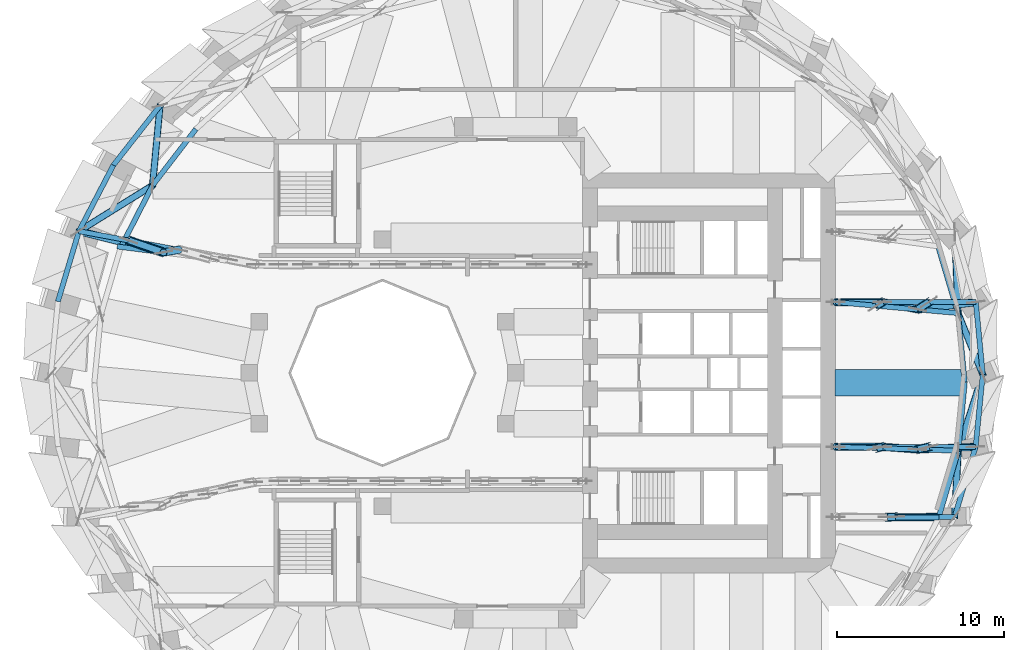
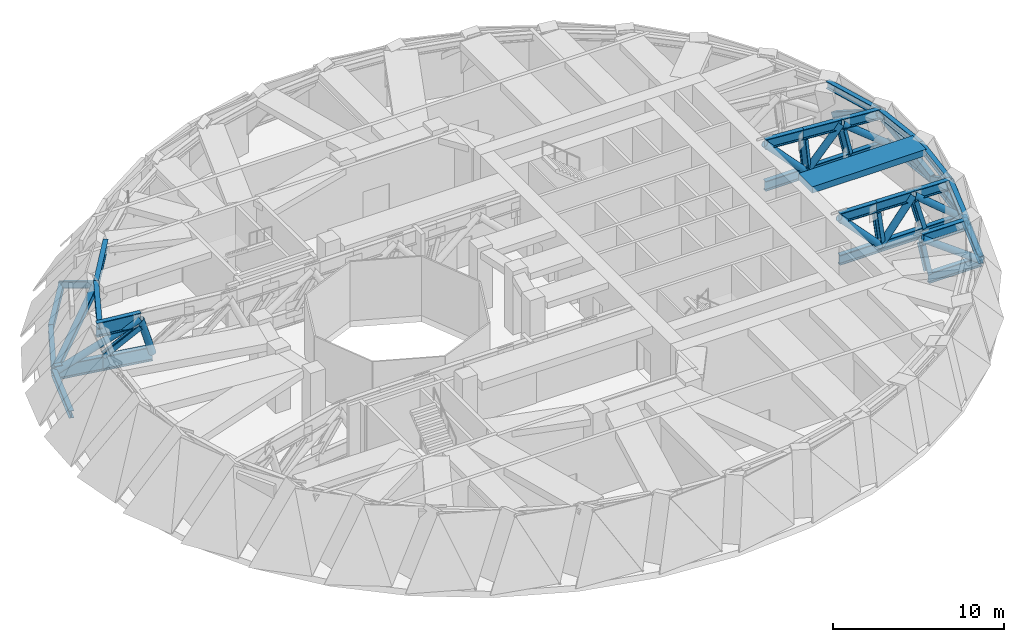
# One storey, part 4 of 15: 50 members, 1 beam.
"""IFC4 building model written with IfcOpenShell, lengths in metres."""

import ifcopenshell
import ifcopenshell.guid

model = None  # the IFC model being written
_history = None  # IfcOwnerHistory: only IFC2X3 demands one
_inside = {}  # id of a spatial element -> (the spatial element, [elements in it])
_under = {}  # id of a project, library or spatial element -> (it, [spatial elements below it])
_declared = {}  # id of a project -> (the project, [libraries it declares])
_typed = {}  # id of a type object -> (the type object, [elements of that type])
_made_of = {}  # id of a material, layer set ... -> (it, [elements and type objects made of it])


def new_model(schema):
    """Start an empty IFC model of exactly this schema.

    Asked for "IFC4X3", IfcOpenShell would pick the latest addendum, in which some entities
    have other attributes; the version numbers below select the first issue.
    IFC2X3 requires an IfcOwnerHistory on every rooted entity: one is made here for all.
    """
    global model, _history
    if schema == "IFC4X3":
        model = ifcopenshell.file(schema_version=(4, 3, 0, 0))
    else:
        model = ifcopenshell.file(schema=schema)
    _inside.clear()
    _under.clear()
    _declared.clear()
    _typed.clear()
    _made_of.clear()
    _history = None
    if model.schema == "IFC2X3":
        org = make("IfcOrganization", Name="unknown")
        user = make(
            "IfcPersonAndOrganization",
            ThePerson=make("IfcPerson", FamilyName="unknown"),
            TheOrganization=org,
        )
        app = make(
            "IfcApplication",
            ApplicationDeveloper=org,
            Version="unknown",
            ApplicationFullName="unknown",
            ApplicationIdentifier="unknown",
        )
        _history = make(
            "IfcOwnerHistory",
            OwningUser=user,
            OwningApplication=app,
            ChangeAction="ADDED",
            CreationDate=0,
        )
    return model


def make(cls, **values):
    """One entity of the class cls with the attributes given. An attribute that is None is left unset."""
    return model.create_entity(
        cls, **{name: value for name, value in values.items() if value is not None}
    )


def rooted(cls, **values):
    """An entity with a GlobalId (a new one), such as an element, a storey or a relation."""
    return make(cls, GlobalId=ifcopenshell.guid.new(), OwnerHistory=_history, **values)


def si_unit(unit_type, name, prefix=None):
    """IfcSIUnit, for example si_unit("LENGTHUNIT", "METRE", prefix="MILLI")."""
    return make("IfcSIUnit", UnitType=unit_type, Prefix=prefix, Name=name)


def assignment(units):
    """IfcUnitAssignment: the units of a project."""
    return None if units is None else make("IfcUnitAssignment", Units=units)


def point(xyz):
    """IfcCartesianPoint."""
    return None if xyz is None else make("IfcCartesianPoint", Coordinates=xyz)


def direction(xyz):
    """IfcDirection."""
    return None if xyz is None else make("IfcDirection", DirectionRatios=xyz)


def frame(location, z_axis=None, x_axis=None):
    """IfcAxis2Placement3D, a coordinate frame: its origin and axes. An axis left out is left unset."""
    return make(
        "IfcAxis2Placement3D",
        Location=point(location),
        Axis=direction(z_axis),
        RefDirection=direction(x_axis),
    )


def frame_2d(location, x_axis=None):
    """IfcAxis2Placement2D, a coordinate frame in the plane: its origin and x axis."""
    return make(
        "IfcAxis2Placement2D", Location=point(location), RefDirection=direction(x_axis)
    )


def origin():
    """The frame at (0, 0, 0) with its axes left unset."""
    return frame((0.0, 0.0, 0.0))


def origin_2d():
    """The frame at (0, 0) in the plane with its x axis left unset."""
    return frame_2d((0.0, 0.0))


def place(relative_to, where):
    """IfcLocalPlacement: puts the frame where relative to a parent placement (None: the world)."""
    return make(
        "IfcLocalPlacement", PlacementRelTo=relative_to, RelativePlacement=where
    )


def context(
    kind, dimensions, precision=None, world=None, true_north=None, identifier=None
):
    """IfcGeometricRepresentationContext, for example the 3D "Model" context."""
    return make(
        "IfcGeometricRepresentationContext",
        ContextIdentifier=identifier,
        ContextType=kind,
        CoordinateSpaceDimension=dimensions,
        Precision=precision,
        WorldCoordinateSystem=world,
        TrueNorth=true_north,
    )


def subcontext(parent, identifier, kind, view, scale=None):
    """IfcGeometricRepresentationSubContext, for example "Body" below "Model"."""
    return make(
        "IfcGeometricRepresentationSubContext",
        ContextIdentifier=identifier,
        ContextType=kind,
        ParentContext=parent,
        TargetScale=scale,
        TargetView=view,
    )


def project(units=None, contexts=None):
    """IfcProject with its units and contexts."""
    return rooted(
        "IfcProject",
        Name="project",
        RepresentationContexts=contexts,
        UnitsInContext=assignment(units),
    )


def spatial(cls, under=None, at=None, **own):
    """A site, building, storey or space (cls), placed at a placement, below another one or the project."""
    s = rooted(cls, ObjectPlacement=at, **own)
    if under is not None:
        _under.setdefault(under.id(), (under, []))[1].append(s)
    return s


def profile(cls, at=None, kind="AREA", **sizes):
    """A parametric profile (cls). Its sizes go by their IFC names, for example OverallWidth=200.0."""
    return make(cls, ProfileType=kind, Position=at, **sizes)


def rectangle(**sizes):
    """IfcRectangleProfileDef."""
    return profile("IfcRectangleProfileDef", **sizes)


def hollow_rectangle(**sizes):
    """IfcRectangleHollowProfileDef."""
    return profile("IfcRectangleHollowProfileDef", **sizes)


def hollow_circle(**sizes):
    """IfcCircleHollowProfileDef."""
    return profile("IfcCircleHollowProfileDef", **sizes)


def i_section(**sizes):
    """IfcIShapeProfileDef."""
    return profile("IfcIShapeProfileDef", **sizes)


def extrude(swept, where, along, depth):
    """IfcExtrudedAreaSolid: the profile swept, set in the frame where, extruded along a direction by depth."""
    return make(
        "IfcExtrudedAreaSolid",
        SweptArea=swept,
        Position=where,
        ExtrudedDirection=direction(along),
        Depth=depth,
    )


def shape(context_of_items, identifier, shape_type, items):
    """IfcShapeRepresentation: the items that make up one representation, for example the "Body"."""
    return make(
        "IfcShapeRepresentation",
        ContextOfItems=context_of_items,
        RepresentationIdentifier=identifier,
        RepresentationType=shape_type,
        Items=items,
    )


def material(Name=None, Category=None):
    """IfcMaterial."""
    return make("IfcMaterial", Name=Name, Category=Category)


def material_profile(
    of_material, cross_section, Name=None, Category=None, Priority=None
):
    """IfcMaterialProfile: a cross section and its material."""
    return make(
        "IfcMaterialProfile",
        Name=Name,
        Material=of_material,
        Profile=cross_section,
        Priority=Priority,
        Category=Category,
    )


def profile_set(profiles, Name=None, composite=None):
    """IfcMaterialProfileSet."""
    return make(
        "IfcMaterialProfileSet",
        Name=Name,
        MaterialProfiles=profiles,
        CompositeProfile=composite,
    )


def made_of(thing, what):
    """Note that an element or type object is made of a material, layer set ...; save() writes the relation."""
    if what is not None:
        _made_of.setdefault(what.id(), (what, []))[1].append(thing)
    return thing


def type_object(cls, material=None, **own):
    """A type object (cls), such as IfcWallType, which elements share."""
    return made_of(rooted(cls, **own), material)


def element(
    cls,
    number,
    at=None,
    inside=None,
    cuts=None,
    type_object=None,
    material=None,
    context=None,
    identifier="Body",
    shape_type=None,
    held_by="IfcProductDefinitionShape",
    body=None,
    shapes=None,
    **own,
):
    """One element of the class cls, such as IfcWall. Its Tag is "e" and its number.

    at: its placement. inside: the storey or other place that contains it. cuts: it is an
    opening in that element (IfcRelVoidsElement). A single representation is given by context,
    identifier, shape_type and body (its items); several are given by shapes. held_by: the class
    of the entity that holds the representations. save() writes the other relations.
    """
    e = rooted(cls, Tag="e%d" % number, ObjectPlacement=at, **own)
    if body is not None:
        shapes = [shape(context, identifier, shape_type, body)]
    if shapes is not None:
        e.Representation = make(held_by, Representations=shapes)
    if inside is not None:
        _inside.setdefault(inside.id(), (inside, []))[1].append(e)
    if cuts is not None:
        rooted(
            "IfcRelVoidsElement", RelatingBuildingElement=cuts, RelatedOpeningElement=e
        )
    if type_object is not None:
        _typed.setdefault(type_object.id(), (type_object, []))[1].append(e)
    return made_of(e, material)


def aggregate(whole, parts):
    """IfcRelAggregates: a whole, such as a stair, and the parts it consists of."""
    return rooted("IfcRelAggregates", RelatingObject=whole, RelatedObjects=parts)


def save(model, path):
    """Write the relations noted so far, then the file.

    IfcRelAggregates (storeys below a building ...), IfcRelContainedInSpatialStructure (elements
    in a storey), IfcRelDefinesByType, IfcRelAssociatesMaterial and IfcRelDeclares: one each for
    every whole, place, type object, material and project.
    """
    for whole, parts in _under.values():
        aggregate(whole, parts)
    for where, things in _inside.values():
        rooted(
            "IfcRelContainedInSpatialStructure",
            RelatedElements=things,
            RelatingStructure=where,
        )
    for kind, things in _typed.values():
        rooted("IfcRelDefinesByType", RelatedObjects=things, RelatingType=kind)
    for what, things in _made_of.values():
        rooted("IfcRelAssociatesMaterial", RelatedObjects=things, RelatingMaterial=what)
    for by, libraries in _declared.values():
        rooted("IfcRelDeclares", RelatingContext=by, RelatedDefinitions=libraries)
    model.write(path)


model = new_model("IFC4")

# Units and contexts
model_context = context("Model", 3, precision=1e-05, world=origin(), true_north=direction((0.0, 1.0)))
body_context = subcontext(model_context, "Body", "Model", "MODEL_VIEW")
ifc_project = project(units=[si_unit("LENGTHUNIT", "METRE"), si_unit("AREAUNIT", "SQUARE_METRE"), si_unit("VOLUMEUNIT", "CUBIC_METRE"), si_unit("PLANEANGLEUNIT", "RADIAN"), si_unit("MASSUNIT", "GRAM", prefix="KILO")], contexts=[model_context])

# Site, building, storey
site_placement = place(None, origin())
site = spatial("IfcSite", under=ifc_project, at=site_placement, CompositionType="ELEMENT")
building_placement = place(site_placement, origin())
building = spatial("IfcBuilding", under=site, at=building_placement, Name="Taillehof Tower", CompositionType="ELEMENT")
storey_placement = place(building_placement, frame((0.0, 0.0, 84.39990234375)))
storey = spatial("IfcBuildingStorey", under=building, at=storey_placement, Name="L23", CompositionType="ELEMENT", Elevation=84.39990234375)

# Members
ifc_material_1 = material(Name="Steel S460M", Category="steel")
ifc_material_profile_1 = material_profile(ifc_material_1, i_section(OverallWidth=0.305908203125, OverallDepth=0.52392578125, WebThickness=0.02099609375, FlangeThickness=0.0400390625, FilletRadius=0.027099609375, at=origin_2d()), Name="HEM 500")
ifc_profile_set_1 = profile_set([ifc_material_profile_1], Name="Steel S460M")
member_type_1 = type_object("IfcMemberType", Name="Belt truss chord HEM 500", PredefinedType="CHORD", material=ifc_profile_set_1)
member_1_placement = place(storey_placement, frame((28.027099609375, -0.095458984375, 0.900146484375), z_axis=(-0.096184713015, 0.995363501934, 0.0), x_axis=(-0.995363501934, -0.096184713015, 0.0)))
element("IfcMember", 1, at=member_1_placement, inside=storey, type_object=member_type_1, Name="Belt truss bottom chord BB01", PredefinedType="CHORD", context=body_context, shape_type="SweptSolid", body=[
    extrude(i_section(OverallWidth=0.305908203125, OverallDepth=0.52392578125, WebThickness=0.02099609375, FlangeThickness=0.0400390625, FilletRadius=0.027099609375, at=origin_2d()), origin(), (0.0, 0.0, 1.0), 4.36328125),
])
member_2_placement = place(storey_placement, frame((26.946533203125, -0.55859375, 3.9580078125), z_axis=(-0.097367670777, 0.995248479872, 0.0), x_axis=(-0.995248479872, -0.097367670777, 0.0)))
element("IfcMember", 2, at=member_2_placement, inside=storey, type_object=member_type_1, Name="Belt truss top chord BT01", PredefinedType="CHORD", context=body_context, shape_type="SweptSolid", body=[
    extrude(i_section(OverallWidth=0.305908203125, OverallDepth=0.52392578125, WebThickness=0.02099609375, FlangeThickness=0.0400390625, FilletRadius=0.027099609375, at=origin_2d()), origin(), (0.0, 0.0, 1.0), 4.142333984375),
])
member_3_placement = place(storey_placement, frame((26.543212890625, 3.56396484375, 3.9580078125), z_axis=(-0.284562961173, 0.958657353348, 0.0), x_axis=(-0.958657353348, -0.284562961173, 0.0)))
element("IfcMember", 3, at=member_3_placement, inside=storey, type_object=member_type_1, Name="Belt truss top chord BT02", PredefinedType="CHORD", context=body_context, shape_type="SweptSolid", body=[
    extrude(i_section(OverallWidth=0.305908203125, OverallDepth=0.52392578125, WebThickness=0.02099609375, FlangeThickness=0.0400390625, FilletRadius=0.027099609375, at=origin_2d()), origin(), (0.0, 0.0, 1.0), 4.16796875),
])
member_4_placement = place(storey_placement, frame((-21.34716796875, 16.0380859375, 0.900146484375), z_axis=(-0.616978809709, -0.786979763634, 0.0), x_axis=(0.786979763634, -0.616978809709, 0.0)))
element("IfcMember", 4, at=member_4_placement, inside=storey, type_object=member_type_1, Name="Belt truss bottom chord BB15", PredefinedType="CHORD", context=body_context, shape_type="SweptSolid", body=[
    extrude(i_section(OverallWidth=0.305908203125, OverallDepth=0.52392578125, WebThickness=0.02099609375, FlangeThickness=0.0400390625, FilletRadius=0.027099609375, at=origin_2d()), origin(), (0.0, 0.0, 1.0), 4.5439453125),
])
member_5_placement = place(storey_placement, frame((-19.197265625, 14.62939453125, 3.9580078125), z_axis=(-0.609555968466, -0.792743036114, 0.0), x_axis=(0.792743036114, -0.609555968466, 0.0)))
element("IfcMember", 5, at=member_5_placement, inside=storey, type_object=member_type_1, Name="Belt truss top chord BT15", PredefinedType="CHORD", context=body_context, shape_type="SweptSolid", body=[
    extrude(i_section(OverallWidth=0.305908203125, OverallDepth=0.52392578125, WebThickness=0.02099609375, FlangeThickness=0.0400390625, FilletRadius=0.027099609375, at=origin_2d()), origin(), (0.0, 0.0, 1.0), 4.268798828125),
])
member_6_placement = place(storey_placement, frame((-24.150634765625, 12.462158203125, 0.900146484375), z_axis=(-0.462545450465, -0.886595570852, 0.0), x_axis=(0.886595570852, -0.462545450465, 0.0)))
element("IfcMember", 6, at=member_6_placement, inside=storey, type_object=member_type_1, Name="Belt truss bottom chord BB16", PredefinedType="CHORD", context=body_context, shape_type="SweptSolid", body=[
    extrude(i_section(OverallWidth=0.305908203125, OverallDepth=0.52392578125, WebThickness=0.02099609375, FlangeThickness=0.0400390625, FilletRadius=0.027099609375, at=origin_2d()), origin(), (0.0, 0.0, 1.0), 4.46484375),
])
member_7_placement = place(storey_placement, frame((-21.79931640625, 11.245361328125, 3.9580078125), z_axis=(-0.456133905764, -0.889911152876, 0.0), x_axis=(0.889911152876, -0.456133905764, 0.0)))
element("IfcMember", 7, at=member_7_placement, inside=storey, type_object=member_type_1, Name="Belt truss top chord BT16", PredefinedType="CHORD", context=body_context, shape_type="SweptSolid", body=[
    extrude(i_section(OverallWidth=0.305908203125, OverallDepth=0.52392578125, WebThickness=0.02099609375, FlangeThickness=0.0400390625, FilletRadius=0.027099609375, at=origin_2d()), origin(), (0.0, 0.0, 1.0), 4.204345703125),
])
member_8_placement = place(storey_placement, frame((-26.2158203125, 8.503662109375, 0.900146484375), z_axis=(-0.286798722324, -0.957990862625, 0.0), x_axis=(0.957990862625, -0.286798722324, 0.0)))
element("IfcMember", 8, at=member_8_placement, inside=storey, type_object=member_type_1, Name="Belt truss bottom chord BB17", PredefinedType="CHORD", context=body_context, shape_type="SweptSolid", body=[
    extrude(i_section(OverallWidth=0.305908203125, OverallDepth=0.52392578125, WebThickness=0.02099609375, FlangeThickness=0.0400390625, FilletRadius=0.027099609375, at=origin_2d()), origin(), (0.0, 0.0, 1.0), 4.4052734375),
])
member_9_placement = place(storey_placement, frame((26.3349609375, -8.644775390625, 0.900146484375), z_axis=(0.287577296787, 0.957757431907, 0.0), x_axis=(-0.957757431907, 0.287577296787, 0.0)))
element("IfcMember", 9, at=member_9_placement, inside=storey, type_object=member_type_1, Name="Belt truss bottom chord BB35", PredefinedType="CHORD", context=body_context, shape_type="SweptSolid", body=[
    extrude(i_section(OverallWidth=0.305908203125, OverallDepth=0.52392578125, WebThickness=0.02099609375, FlangeThickness=0.0400390625, FilletRadius=0.027099609375, at=origin_2d()), origin(), (0.0, 0.0, 1.0), 4.393310546875),
])
member_10_placement = place(storey_placement, frame((25.37841796875, -8.6845703125, 3.9580078125), z_axis=(0.28197299684, 0.959422341335, 0.0), x_axis=(-0.959422341335, 0.28197299684, 0.0)))
element("IfcMember", 10, at=member_10_placement, inside=storey, type_object=member_type_1, Name="Belt truss top chord BT35", PredefinedType="CHORD", context=body_context, shape_type="SweptSolid", body=[
    extrude(i_section(OverallWidth=0.305908203125, OverallDepth=0.52392578125, WebThickness=0.02099609375, FlangeThickness=0.0400390625, FilletRadius=0.027099609375, at=origin_2d()), origin(), (0.0, 0.0, 1.0), 4.170654296875),
])
member_11_placement = place(storey_placement, frame((27.598388671875, -4.43701171875, 0.900146484375), z_axis=(0.098268060901, 0.995159981212, 0.0), x_axis=(-0.995159981212, 0.098268060901, 0.0)))
element("IfcMember", 11, at=member_11_placement, inside=storey, type_object=member_type_1, Name="Belt truss bottom chord BB36", PredefinedType="CHORD", context=body_context, shape_type="SweptSolid", body=[
    extrude(i_section(OverallWidth=0.305908203125, OverallDepth=0.52392578125, WebThickness=0.02099609375, FlangeThickness=0.0400390625, FilletRadius=0.027099609375, at=origin_2d()), origin(), (0.0, 0.0, 1.0), 4.362548828125),
])
member_12_placement = place(storey_placement, frame((26.554443359375, -4.68310546875, 3.9580078125), z_axis=(0.094636680222, 0.995511877758, 0.0), x_axis=(-0.995511877758, 0.094636680222, 0.0)))
element("IfcMember", 12, at=member_12_placement, inside=storey, type_object=member_type_1, Name="Belt truss top chord BT36", PredefinedType="CHORD", context=body_context, shape_type="SweptSolid", body=[
    extrude(i_section(OverallWidth=0.305908203125, OverallDepth=0.52392578125, WebThickness=0.02099609375, FlangeThickness=0.0400390625, FilletRadius=0.027099609375, at=origin_2d()), origin(), (0.0, 0.0, 1.0), 4.14306640625),
])
ifc_material_2 = material(Name="Steel S460M", Category="steel")
ifc_material_profile_2 = material_profile(ifc_material_2, hollow_rectangle(XDim=0.39990234375, YDim=0.39990234375, WallThickness=0.02001953125, InnerFilletRadius=0.02001953125, OuterFilletRadius=0.030029296875, at=origin_2d()), Name="RHS 400x400x20")
ifc_profile_set_2 = profile_set([ifc_material_profile_2], Name="Steel S460M")
member_type_2 = type_object("IfcMemberType", Name="Belt truss diagonal RHS 400x400x20", PredefinedType="BRACE", material=ifc_profile_set_2)
member_13_placement = place(storey_placement, frame((28.027099609375, -0.095458984375, 0.900146484375), z_axis=(-0.297111375071, 0.732708522695, 0.612260607563), x_axis=(-0.926709593518, -0.375778298045, 0.0)))
element("IfcMember", 13, at=member_13_placement, inside=storey, type_object=member_type_2, Name="Belt truss diagonal BX01", PredefinedType="BRACE", context=body_context, shape_type="SweptSolid", body=[
    extrude(hollow_rectangle(XDim=0.39990234375, YDim=0.39990234375, WallThickness=0.02001953125, InnerFilletRadius=0.02001953125, OuterFilletRadius=0.030029296875, at=origin_2d()), origin(), (0.0, 0.0, 1.0), 4.994384765625),
])
member_14_placement = place(storey_placement, frame((26.543212890625, 3.56396484375, 3.9580078125), z_axis=(-0.033183723471, 0.847685613712, -0.529460046464), x_axis=(-0.999234664575, -0.039116302383, 0.0)))
element("IfcMember", 14, at=member_14_placement, inside=storey, type_object=member_type_2, Name="Belt truss diagonal BX02", PredefinedType="BRACE", context=body_context, shape_type="SweptSolid", body=[
    extrude(hollow_rectangle(XDim=0.39990234375, YDim=0.39990234375, WallThickness=0.02001953125, InnerFilletRadius=0.02001953125, OuterFilletRadius=0.030029296875, at=origin_2d()), origin(), (0.0, 0.0, 1.0), 5.775390625),
])
member_15_placement = place(storey_placement, frame((-21.34716796875, 16.0380859375, 0.900146484375), z_axis=(-0.079281396528, -0.840374241496, 0.536176831274), x_axis=(0.995579413238, -0.093923543035, 0.0)))
element("IfcMember", 15, at=member_15_placement, inside=storey, type_object=member_type_2, Name="Belt truss diagonal BX15", PredefinedType="BRACE", context=body_context, shape_type="SweptSolid", body=[
    extrude(hollow_rectangle(XDim=0.39990234375, YDim=0.39990234375, WallThickness=0.02001953125, InnerFilletRadius=0.02001953125, OuterFilletRadius=0.030029296875, at=origin_2d()), origin(), (0.0, 0.0, 1.0), 5.703125),
])
member_16_placement = place(storey_placement, frame((-21.79931640625, 11.245361328125, 3.9580078125), z_axis=(-0.732300671102, -0.454601245797, -0.507024096492), x_axis=(0.527421315306, -0.849603881913, 0.0)))
element("IfcMember", 16, at=member_16_placement, inside=storey, type_object=member_type_2, Name="Belt truss diagonal BX16", PredefinedType="BRACE", context=body_context, shape_type="SweptSolid", body=[
    extrude(hollow_rectangle(XDim=0.39990234375, YDim=0.39990234375, WallThickness=0.02001953125, InnerFilletRadius=0.02001953125, OuterFilletRadius=0.030029296875, at=origin_2d()), origin(), (0.0, 0.0, 1.0), 6.031005859375),
])
member_17_placement = place(storey_placement, frame((26.3349609375, -8.644775390625, 0.900146484375), z_axis=(0.04381461264, 0.790856195008, 0.610431616594), x_axis=(-0.998468861151, 0.055316663966, 0.0)))
element("IfcMember", 17, at=member_17_placement, inside=storey, type_object=member_type_2, Name="Belt truss diagonal BX35", PredefinedType="BRACE", context=body_context, shape_type="SweptSolid", body=[
    extrude(hollow_rectangle(XDim=0.39990234375, YDim=0.39990234375, WallThickness=0.02001953125, InnerFilletRadius=0.02001953125, OuterFilletRadius=0.030029296875, at=origin_2d()), origin(), (0.0, 0.0, 1.0), 5.00927734375),
])
member_18_placement = place(storey_placement, frame((26.554443359375, -4.68310546875, 3.9580078125), z_axis=(0.258060157883, 0.803913863856, -0.535842751573), x_axis=(-0.952146057891, 0.305643394242, 0.0)))
element("IfcMember", 18, at=member_18_placement, inside=storey, type_object=member_type_2, Name="Belt truss diagonal BX36", PredefinedType="BRACE", context=body_context, shape_type="SweptSolid", body=[
    extrude(hollow_rectangle(XDim=0.39990234375, YDim=0.39990234375, WallThickness=0.02001953125, InnerFilletRadius=0.02001953125, OuterFilletRadius=0.030029296875, at=origin_2d()), origin(), (0.0, 0.0, 1.0), 5.70654296875),
])
ifc_material_3 = material(Name="Steel S460M", Category="steel")
ifc_material_profile_3 = material_profile(ifc_material_3, i_section(OverallWidth=0.302001953125, OverallDepth=1.008056640625, WebThickness=0.02099609375, FlangeThickness=0.0400390625, FilletRadius=0.030029296875, at=origin_2d()), Name="HEM 1000")
ifc_profile_set_3 = profile_set([ifc_material_profile_3], Name="Steel S460M")
member_type_3 = type_object("IfcMemberType", Name="Outrigger chord HEM 1000", PredefinedType="CHORD", material=ifc_profile_set_3)
member_19_placement = place(storey_placement, frame((-20.239013671875, 7.38623046875, 0.900146484375), z_axis=(-0.982962067231, 0.183808526419, 0.0), x_axis=(-0.183808526419, -0.982962067231, 0.0)))
element("IfcMember", 19, at=member_19_placement, inside=storey, type_object=member_type_3, Name="Outrigger OT5 bottom chord 09", PredefinedType="CHORD", context=body_context, shape_type="SweptSolid", body=[
    extrude(i_section(OverallWidth=0.302001953125, OverallDepth=1.008056640625, WebThickness=0.02099609375, FlangeThickness=0.0400390625, FilletRadius=0.030029296875, at=origin_2d()), origin(), (0.0, 0.0, 1.0), 3.040283203125),
])
member_20_placement = place(storey_placement, frame((-23.2275390625, 7.945068359375, 0.900146484375), z_axis=(-0.982973861796, 0.183745440832, 0.0), x_axis=(-0.183745440832, -0.982973861796, 0.0)))
element("IfcMember", 20, at=member_20_placement, inside=storey, type_object=member_type_3, Name="Outrigger OT5 bottom chord 10", PredefinedType="CHORD", context=body_context, shape_type="SweptSolid", body=[
    extrude(i_section(OverallWidth=0.302001953125, OverallDepth=1.008056640625, WebThickness=0.02099609375, FlangeThickness=0.0400390625, FilletRadius=0.030029296875, at=origin_2d()), origin(), (0.0, 0.0, 1.0), 3.0400390625),
])
member_21_placement = place(storey_placement, frame((-21.13916015625, 7.225830078125, 3.716064453125), z_axis=(-0.991821740286, 0.127630856367, 0.0), x_axis=(-0.127630856367, -0.991821740286, 0.0)))
element("IfcMember", 21, at=member_21_placement, inside=storey, type_object=member_type_3, Name="Outrigger OT5 top chord 10", PredefinedType="CHORD", context=body_context, shape_type="SweptSolid", body=[
    extrude(i_section(OverallWidth=0.302001953125, OverallDepth=1.008056640625, WebThickness=0.02099609375, FlangeThickness=0.0400390625, FilletRadius=0.030029296875, at=origin_2d()), origin(), (0.0, 0.0, 1.0), 2.798583984375),
])
ifc_material_4 = material(Name="Steel S460M", Category="steel")
ifc_material_profile_4 = material_profile(ifc_material_4, i_section(OverallWidth=0.303955078125, OverallDepth=0.716064453125, WebThickness=0.02099609375, FlangeThickness=0.0400390625, FilletRadius=0.027099609375, at=origin_2d()), Name="HEM 700")
ifc_profile_set_4 = profile_set([ifc_material_profile_4], Name="Steel S460M")
member_type_4 = type_object("IfcMemberType", Name="Outrigger chord HEM 700", PredefinedType="CHORD", material=ifc_profile_set_4)
member_22_placement = place(storey_placement, frame((19.199951171875, 4.24755859375, 0.900146484375), z_axis=(1.0, 0.0, 0.0), x_axis=(0.0, 1.0, 0.0)))
element("IfcMember", 22, at=member_22_placement, inside=storey, type_object=member_type_4, Name="Outrigger OT1 bottom chord 01", PredefinedType="CHORD", context=body_context, shape_type="SweptSolid", body=[
    extrude(i_section(OverallWidth=0.303955078125, OverallDepth=0.716064453125, WebThickness=0.02099609375, FlangeThickness=0.0400390625, FilletRadius=0.027099609375, at=origin_2d()), origin(), (0.0, 0.0, 1.0), 2.802490234375),
])
member_23_placement = place(storey_placement, frame((19.199951171875, 4.24755859375, 3.862060546875), z_axis=(0.99599630351, -0.08939442597, 0.0), x_axis=(0.08939442597, 0.99599630351, 0.0)))
element("IfcMember", 23, at=member_23_placement, inside=storey, type_object=member_type_4, Name="Outrigger OT1 top chord 01", PredefinedType="CHORD", context=body_context, shape_type="SweptSolid", body=[
    extrude(i_section(OverallWidth=0.303955078125, OverallDepth=0.716064453125, WebThickness=0.02099609375, FlangeThickness=0.0400390625, FilletRadius=0.027099609375, at=origin_2d()), origin(), (0.0, 0.0, 1.0), 2.46875),
])
member_24_placement = place(storey_placement, frame((22.00244140625, 4.24755859375, 0.900146484375), z_axis=(1.0, 0.0, 0.0), x_axis=(0.0, 1.0, 0.0)))
element("IfcMember", 24, at=member_24_placement, inside=storey, type_object=member_type_4, Name="Outrigger OT1 bottom chord 02", PredefinedType="CHORD", context=body_context, shape_type="SweptSolid", body=[
    extrude(i_section(OverallWidth=0.303955078125, OverallDepth=0.716064453125, WebThickness=0.02099609375, FlangeThickness=0.0400390625, FilletRadius=0.027099609375, at=origin_2d()), origin(), (0.0, 0.0, 1.0), 2.802490234375),
])
member_25_placement = place(storey_placement, frame((21.658935546875, 4.02685546875, 3.862060546875), z_axis=(0.995995513146, -0.089403231445, 0.0), x_axis=(0.089403231445, 0.995995513146, 0.0)))
element("IfcMember", 25, at=member_25_placement, inside=storey, type_object=member_type_4, Name="Outrigger OT1 top chord 02", PredefinedType="CHORD", context=body_context, shape_type="SweptSolid", body=[
    extrude(i_section(OverallWidth=0.303955078125, OverallDepth=0.716064453125, WebThickness=0.02099609375, FlangeThickness=0.0400390625, FilletRadius=0.027099609375, at=origin_2d()), origin(), (0.0, 0.0, 1.0), 2.468505859375),
])
member_26_placement = place(storey_placement, frame((24.804931640625, 4.24755859375, 0.900146484375), z_axis=(1.0, 0.0, 0.0), x_axis=(0.0, 1.0, 0.0)))
element("IfcMember", 26, at=member_26_placement, inside=storey, type_object=member_type_4, Name="Outrigger OT1 bottom chord 03", PredefinedType="CHORD", context=body_context, shape_type="SweptSolid", body=[
    extrude(i_section(OverallWidth=0.303955078125, OverallDepth=0.716064453125, WebThickness=0.02099609375, FlangeThickness=0.0400390625, FilletRadius=0.027099609375, at=origin_2d()), origin(), (0.0, 0.0, 1.0), 2.802490234375),
])
member_27_placement = place(storey_placement, frame((24.11767578125, 3.80615234375, 3.862060546875), z_axis=(0.995986702054, -0.089501337043, 0.0), x_axis=(0.089501337043, 0.995986702054, 0.0)))
element("IfcMember", 27, at=member_27_placement, inside=storey, type_object=member_type_4, Name="Outrigger OT1 top chord 03", PredefinedType="CHORD", context=body_context, shape_type="SweptSolid", body=[
    extrude(i_section(OverallWidth=0.303955078125, OverallDepth=0.716064453125, WebThickness=0.02099609375, FlangeThickness=0.0400390625, FilletRadius=0.027099609375, at=origin_2d()), origin(), (0.0, 0.0, 1.0), 2.46875),
])
member_28_placement = place(storey_placement, frame((22.767333984375, -8.644775390625, 0.900146484375), z_axis=(1.0, 0.0, 0.0), x_axis=(0.0, 1.0, 0.0)))
element("IfcMember", 28, at=member_28_placement, inside=storey, type_object=member_type_4, Name="Outrigger OT3 bottom chord 02", PredefinedType="CHORD", context=body_context, shape_type="SweptSolid", body=[
    extrude(i_section(OverallWidth=0.303955078125, OverallDepth=0.716064453125, WebThickness=0.02099609375, FlangeThickness=0.0400390625, FilletRadius=0.027099609375, at=origin_2d()), origin(), (0.0, 0.0, 1.0), 3.567626953125),
])
member_29_placement = place(storey_placement, frame((22.30419921875, -8.6640625, 3.862060546875), z_axis=(0.999980699041, -0.006213014174, 0.0), x_axis=(0.006213014174, 0.999980699041, 0.0)))
element("IfcMember", 29, at=member_29_placement, inside=storey, type_object=member_type_4, Name="Outrigger OT3 top chord 02", PredefinedType="CHORD", context=body_context, shape_type="SweptSolid", body=[
    extrude(i_section(OverallWidth=0.303955078125, OverallDepth=0.716064453125, WebThickness=0.02099609375, FlangeThickness=0.0400390625, FilletRadius=0.027099609375, at=origin_2d()), origin(), (0.0, 0.0, 1.0), 3.104248046875),
])
member_30_placement = place(storey_placement, frame((19.199951171875, -4.43701171875, 0.900146484375), z_axis=(1.0, 0.0, 0.0), x_axis=(0.0, 1.0, 0.0)))
element("IfcMember", 30, at=member_30_placement, inside=storey, type_object=member_type_4, Name="Outrigger OT4 bottom chord 01", PredefinedType="CHORD", context=body_context, shape_type="SweptSolid", body=[
    extrude(i_section(OverallWidth=0.303955078125, OverallDepth=0.716064453125, WebThickness=0.02099609375, FlangeThickness=0.0400390625, FilletRadius=0.027099609375, at=origin_2d()), origin(), (0.0, 0.0, 1.0), 2.799560546875),
])
member_31_placement = place(storey_placement, frame((19.199951171875, -4.43701171875, 3.862060546875), z_axis=(0.9994780521, -0.032305160121, 0.0), x_axis=(0.032305160121, 0.9994780521, 0.0)))
element("IfcMember", 31, at=member_31_placement, inside=storey, type_object=member_type_4, Name="Outrigger OT4 top chord 01", PredefinedType="CHORD", context=body_context, shape_type="SweptSolid", body=[
    extrude(i_section(OverallWidth=0.303955078125, OverallDepth=0.716064453125, WebThickness=0.02099609375, FlangeThickness=0.0400390625, FilletRadius=0.027099609375, at=origin_2d()), origin(), (0.0, 0.0, 1.0), 2.463623046875),
])
member_32_placement = place(storey_placement, frame((21.99951171875, -4.43701171875, 0.900146484375), z_axis=(1.0, 0.0, 0.0), x_axis=(0.0, 1.0, 0.0)))
element("IfcMember", 32, at=member_32_placement, inside=storey, type_object=member_type_4, Name="Outrigger OT4 bottom chord 02", PredefinedType="CHORD", context=body_context, shape_type="SweptSolid", body=[
    extrude(i_section(OverallWidth=0.303955078125, OverallDepth=0.716064453125, WebThickness=0.02099609375, FlangeThickness=0.0400390625, FilletRadius=0.027099609375, at=origin_2d()), origin(), (0.0, 0.0, 1.0), 2.79931640625),
])
member_33_placement = place(storey_placement, frame((21.662353515625, -4.5166015625, 3.862060546875), z_axis=(0.999481246836, -0.032206167482, 0.0), x_axis=(0.032206167482, 0.999481246836, 0.0)))
element("IfcMember", 33, at=member_33_placement, inside=storey, type_object=member_type_4, Name="Outrigger OT4 top chord 02", PredefinedType="CHORD", context=body_context, shape_type="SweptSolid", body=[
    extrude(i_section(OverallWidth=0.303955078125, OverallDepth=0.716064453125, WebThickness=0.02099609375, FlangeThickness=0.0400390625, FilletRadius=0.027099609375, at=origin_2d()), origin(), (0.0, 0.0, 1.0), 2.463623046875),
])
member_34_placement = place(storey_placement, frame((24.798828125, -4.43701171875, 0.900146484375), z_axis=(1.0, 0.0, 0.0), x_axis=(0.0, 1.0, 0.0)))
element("IfcMember", 34, at=member_34_placement, inside=storey, type_object=member_type_4, Name="Outrigger OT4 bottom chord 03", PredefinedType="CHORD", context=body_context, shape_type="SweptSolid", body=[
    extrude(i_section(OverallWidth=0.303955078125, OverallDepth=0.716064453125, WebThickness=0.02099609375, FlangeThickness=0.0400390625, FilletRadius=0.027099609375, at=origin_2d()), origin(), (0.0, 0.0, 1.0), 2.799560546875),
])
member_35_placement = place(storey_placement, frame((24.124755859375, -4.595947265625, 3.862060546875), z_axis=(0.999481349606, -0.032202977954, 0.0), x_axis=(0.032202977954, 0.999481349606, 0.0)))
element("IfcMember", 35, at=member_35_placement, inside=storey, type_object=member_type_4, Name="Outrigger OT4 top chord 03", PredefinedType="CHORD", context=body_context, shape_type="SweptSolid", body=[
    extrude(i_section(OverallWidth=0.303955078125, OverallDepth=0.716064453125, WebThickness=0.02099609375, FlangeThickness=0.0400390625, FilletRadius=0.027099609375, at=origin_2d()), origin(), (0.0, 0.0, 1.0), 2.4638671875),
])
ifc_material_5 = material(Name="Steel S460M", Category="steel")
ifc_material_profile_5 = material_profile(ifc_material_5, hollow_circle(Radius=0.228515625, WallThickness=0.02490234375, at=origin_2d()), Name="CHS 457x25")
ifc_profile_set_5 = profile_set([ifc_material_profile_5], Name="Steel S460M")
member_type_5 = type_object("IfcMemberType", Name="Outrigger diagonal CHS 457x25", PredefinedType="BRACE", material=ifc_profile_set_5)
member_36_placement = place(storey_placement, frame((19.199951171875, 4.24755859375, 3.862060546875), z_axis=(0.687287812554, 0.0, -0.726385202709), x_axis=(0.0, 1.0, 0.0)))
element("IfcMember", 36, at=member_36_placement, inside=storey, type_object=member_type_5, Name="Outrigger OT1 diagonal 01", PredefinedType="BRACE", context=body_context, shape_type="SweptSolid", body=[
    extrude(hollow_circle(Radius=0.228515625, WallThickness=0.02490234375, at=origin_2d()), origin(), (0.0, 0.0, 1.0), 4.07763671875),
])
member_37_placement = place(storey_placement, frame((22.00244140625, 4.24755859375, 0.900146484375), z_axis=(0.576934749563, -0.120394509142, 0.807868465108), x_axis=(0.204279101791, 0.978912686899, 0.0)))
element("IfcMember", 37, at=member_37_placement, inside=storey, type_object=member_type_5, Name="Outrigger OT1 diagonal 02", PredefinedType="BRACE", context=body_context, shape_type="SweptSolid", body=[
    extrude(hollow_circle(Radius=0.228515625, WallThickness=0.02490234375, at=origin_2d()), origin(), (0.0, 0.0, 1.0), 3.666259765625),
])
member_38_placement = place(storey_placement, frame((24.11767578125, 3.80615234375, 3.862060546875), z_axis=(0.758889714081, 0.095989408357, -0.644105919353), x_axis=(-0.125486797509, 0.992095289602, 0.0)))
element("IfcMember", 38, at=member_38_placement, inside=storey, type_object=member_type_5, Name="Outrigger OT1 diagonal 03", PredefinedType="BRACE", context=body_context, shape_type="SweptSolid", body=[
    extrude(hollow_circle(Radius=0.228515625, WallThickness=0.02490234375, at=origin_2d()), origin(), (0.0, 0.0, 1.0), 4.598388671875),
])
member_39_placement = place(storey_placement, frame((22.30419921875, -8.6640625, 3.862060546875), z_axis=(0.805824489201, 0.003855853098, -0.592141896002), x_axis=(-0.004784924023, 0.999988552186, 0.0)))
element("IfcMember", 39, at=member_39_placement, inside=storey, type_object=member_type_5, Name="Outrigger OT3 diagonal 02", PredefinedType="BRACE", context=body_context, shape_type="SweptSolid", body=[
    extrude(hollow_circle(Radius=0.228515625, WallThickness=0.02490234375, at=origin_2d()), origin(), (0.0, 0.0, 1.0), 5.001953125),
])
member_40_placement = place(storey_placement, frame((19.199951171875, -4.43701171875, 3.862060546875), z_axis=(0.686908435091, 0.0, -0.726743972662), x_axis=(0.0, 1.0, 0.0)))
element("IfcMember", 40, at=member_40_placement, inside=storey, type_object=member_type_5, Name="Outrigger OT4 diagonal 01", PredefinedType="BRACE", context=body_context, shape_type="SweptSolid", body=[
    extrude(hollow_circle(Radius=0.228515625, WallThickness=0.02490234375, at=origin_2d()), origin(), (0.0, 0.0, 1.0), 4.07568359375),
])
member_41_placement = place(storey_placement, frame((21.99951171875, -4.43701171875, 0.900146484375), z_axis=(0.582425735278, -0.043556479456, 0.811716142492), x_axis=(0.074576354335, 0.997215306428, 0.0)))
element("IfcMember", 41, at=member_41_placement, inside=storey, type_object=member_type_5, Name="Outrigger OT4 diagonal 02", PredefinedType="BRACE", context=body_context, shape_type="SweptSolid", body=[
    extrude(hollow_circle(Radius=0.228515625, WallThickness=0.02490234375, at=origin_2d()), origin(), (0.0, 0.0, 1.0), 3.64892578125),
])
member_42_placement = place(storey_placement, frame((24.124755859375, -4.595947265625, 3.862060546875), z_axis=(0.760469477194, 0.034795166549, -0.648440799643), x_axis=(-0.045707030629, 0.998954887546, 0.0)))
element("IfcMember", 42, at=member_42_placement, inside=storey, type_object=member_type_5, Name="Outrigger OT4 diagonal 03", PredefinedType="BRACE", context=body_context, shape_type="SweptSolid", body=[
    extrude(hollow_circle(Radius=0.228515625, WallThickness=0.02490234375, at=origin_2d()), origin(), (0.0, 0.0, 1.0), 4.567626953125),
])
member_43_placement = place(storey_placement, frame((-20.239013671875, 7.38623046875, 0.900146484375), z_axis=(-0.304037860033, -0.054177617044, 0.951118165886), x_axis=(0.17543020319, -0.98449187087, 0.0)))
element("IfcMember", 43, at=member_43_placement, inside=storey, type_object=member_type_5, Name="Outrigger OT5 diagonal 09", PredefinedType="BRACE", context=body_context, shape_type="SweptSolid", body=[
    extrude(hollow_circle(Radius=0.228515625, WallThickness=0.02490234375, at=origin_2d()), origin(), (0.0, 0.0, 1.0), 2.960693359375),
])
member_44_placement = place(storey_placement, frame((-21.13916015625, 7.225830078125, 3.716064453125), z_axis=(-0.854038051919, 0.214967546588, -0.473717172782), x_axis=(-0.244093507622, -0.96975169994, 0.0)))
element("IfcMember", 44, at=member_44_placement, inside=storey, type_object=member_type_5, Name="Outrigger OT5 diagonal 10", PredefinedType="BRACE", context=body_context, shape_type="SweptSolid", body=[
    extrude(hollow_circle(Radius=0.228515625, WallThickness=0.02490234375, at=origin_2d()), origin(), (0.0, 0.0, 1.0), 5.9443359375),
])
ifc_material_6 = material(Name="Steel S460M", Category="steel")
ifc_material_profile_6 = material_profile(ifc_material_6, i_section(OverallWidth=0.300048828125, OverallDepth=0.5, WebThickness=0.014404296875, FlangeThickness=0.028076171875, FilletRadius=0.027099609375, at=origin_2d()), Name="HEB 500")
ifc_profile_set_6 = profile_set([ifc_material_profile_6], Name="Steel S460M")
member_type_6 = type_object("IfcMemberType", Name="Outrigger post HEB 500", PredefinedType="POST", material=ifc_profile_set_6)
member_45_placement = place(storey_placement, frame((22.00244140625, 4.24755859375, 1.258056640625), z_axis=(-0.150468921632, -0.096676549506, 0.98387638878), x_axis=(-0.827749417413, -0.531830471458, -0.178849801793)))
element("IfcMember", 45, at=member_45_placement, inside=storey, type_object=member_type_6, Name="Outrigger OT1 post 02", PredefinedType="POST", context=body_context, shape_type="SweptSolid", body=[
    extrude(i_section(OverallWidth=0.300048828125, OverallDepth=0.5, WebThickness=0.014404296875, FlangeThickness=0.028076171875, FilletRadius=0.027099609375, at=origin_2d()), origin(), (0.0, 0.0, 1.0), 2.282958984375),
])
member_46_placement = place(storey_placement, frame((24.804931640625, 4.24755859375, 1.258056640625), z_axis=(-0.28755482266, -0.184688852352, 0.939788407984), x_axis=(-0.790739628833, -0.507871136387, -0.341756855408)))
element("IfcMember", 46, at=member_46_placement, inside=storey, type_object=member_type_6, Name="Outrigger OT1 post 03", PredefinedType="POST", context=body_context, shape_type="SweptSolid", body=[
    extrude(i_section(OverallWidth=0.300048828125, OverallDepth=0.5, WebThickness=0.014404296875, FlangeThickness=0.028076171875, FilletRadius=0.027099609375, at=origin_2d()), origin(), (0.0, 0.0, 1.0), 2.389892578125),
])
member_47_placement = place(storey_placement, frame((22.767333984375, -8.644775390625, 1.258056640625), z_axis=(-0.20194013687, -0.008409736854, 0.979361760254), x_axis=(-0.978513618928, -0.040749908221, -0.202115171506)))
element("IfcMember", 47, at=member_47_placement, inside=storey, type_object=member_type_6, Name="Outrigger OT3 post 02", PredefinedType="POST", context=body_context, shape_type="SweptSolid", body=[
    extrude(i_section(OverallWidth=0.300048828125, OverallDepth=0.5, WebThickness=0.014404296875, FlangeThickness=0.028076171875, FilletRadius=0.027099609375, at=origin_2d()), origin(), (0.0, 0.0, 1.0), 2.29345703125),
])
member_48_placement = place(storey_placement, frame((21.99951171875, -4.43701171875, 1.258056640625), z_axis=(-0.148354519748, -0.035020690397, 0.988313962117), x_axis=(-0.961877103155, -0.22706150299, -0.15243199233)))
element("IfcMember", 48, at=member_48_placement, inside=storey, type_object=member_type_6, Name="Outrigger OT4 post 02", PredefinedType="POST", context=body_context, shape_type="SweptSolid", body=[
    extrude(i_section(OverallWidth=0.300048828125, OverallDepth=0.5, WebThickness=0.014404296875, FlangeThickness=0.028076171875, FilletRadius=0.027099609375, at=origin_2d()), origin(), (0.0, 0.0, 1.0), 2.272705078125),
])
member_49_placement = place(storey_placement, frame((24.798828125, -4.43701171875, 1.258056640625), z_axis=(-0.286785491519, -0.067619469388, 0.955605404555), x_axis=(-0.930100993133, -0.219303059228, -0.294649471043)))
element("IfcMember", 49, at=member_49_placement, inside=storey, type_object=member_type_6, Name="Outrigger OT4 post 03", PredefinedType="POST", context=body_context, shape_type="SweptSolid", body=[
    extrude(i_section(OverallWidth=0.300048828125, OverallDepth=0.5, WebThickness=0.014404296875, FlangeThickness=0.028076171875, FilletRadius=0.027099609375, at=origin_2d()), origin(), (0.0, 0.0, 1.0), 2.350341796875),
])
member_50_placement = place(storey_placement, frame((-23.2275390625, 7.945068359375, 1.404052734375), z_axis=(0.731622586605, -0.251971024098, 0.633434285293), x_axis=(-0.528853990658, 0.376538621683, 0.76061299157)))
element("IfcMember", 50, at=member_50_placement, inside=storey, type_object=member_type_6, Name="Outrigger OT5 post 10", PredefinedType="POST", context=body_context, shape_type="SweptSolid", body=[
    extrude(i_section(OverallWidth=0.300048828125, OverallDepth=0.5, WebThickness=0.014404296875, FlangeThickness=0.028076171875, FilletRadius=0.027099609375, at=origin_2d()), origin(), (0.0, 0.0, 1.0), 2.8544921875),
])

# Beam
ifc_material_7 = material(Name="Concrete C50/60", Category="concrete")
ifc_material_profile_7 = material_profile(ifc_material_7, rectangle(XDim=1.60009765625, YDim=0.449951171875, at=origin_2d()), Name="RC 1600x450")
ifc_profile_set_7 = profile_set([ifc_material_profile_7], Name="Concrete C50/60")
beam_type = type_object("IfcBeamType", Name="Radial band beam C50/60 1600x450", PredefinedType="BEAM", material=ifc_profile_set_7)
beam_placement = place(storey_placement, frame((26.85009765625, -0.60009765625, 3.9951171875), z_axis=(-1.0, 0.0, 0.0), x_axis=(0.0, -1.0, 0.0)))
element("IfcBeam", 51, at=beam_placement, inside=storey, type_object=beam_type, Name="Radial band beam RB01", PredefinedType="BEAM", context=body_context, shape_type="SweptSolid", body=[
    extrude(rectangle(XDim=1.60009765625, YDim=0.449951171875, at=origin_2d()), origin(), (0.0, 0.0, 1.0), 7.7001953125),
])

save(model, "model.ifc")
